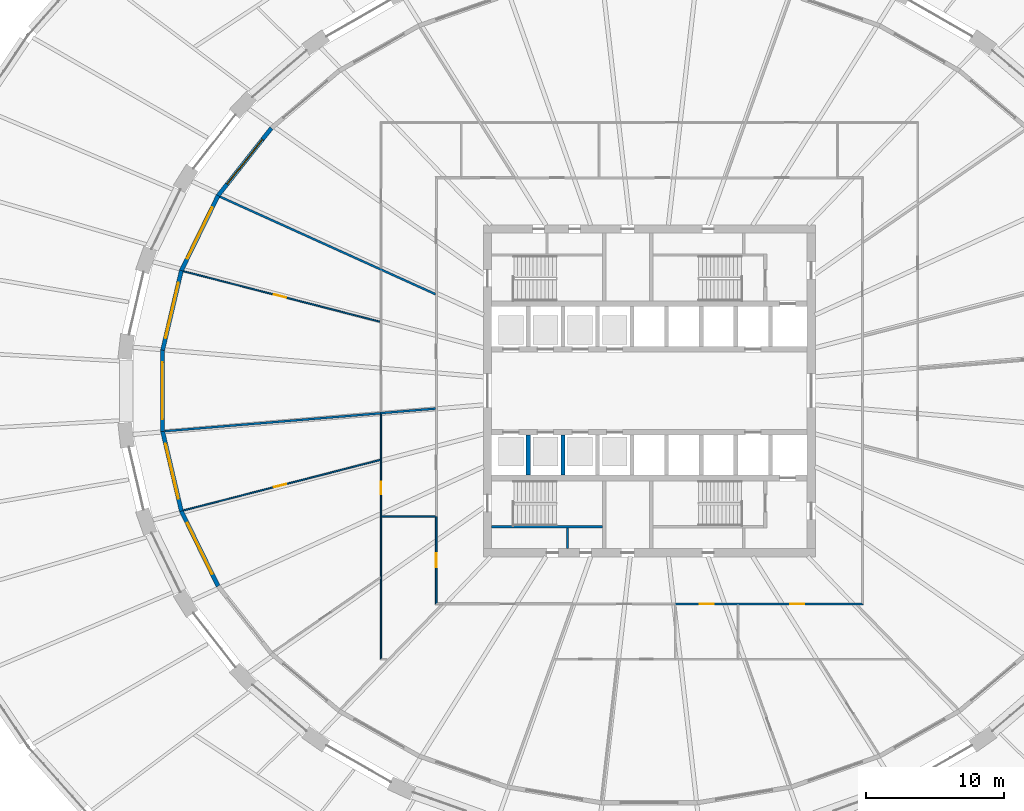
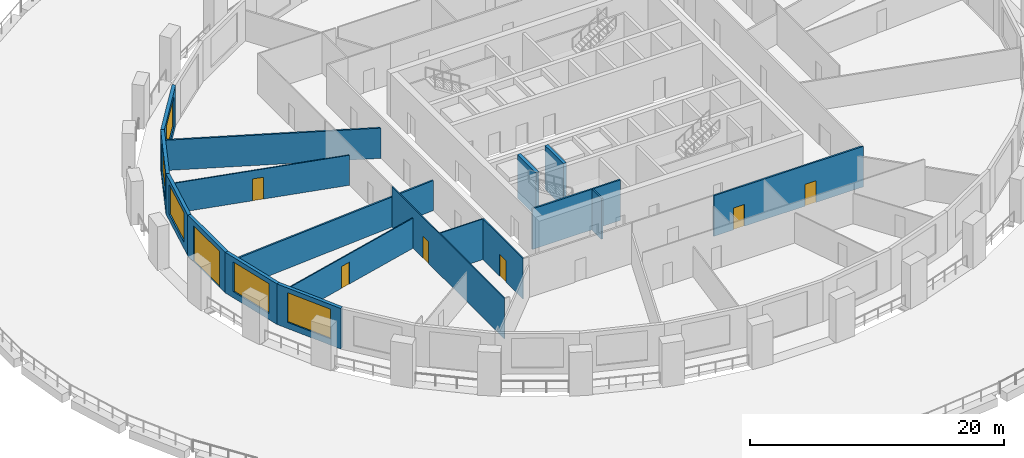
# One storey, part 6 of 16: 19 walls, 7 doors, 5 windows, 12 openings.
"""IFC4 building model written with IfcOpenShell, lengths in metres."""

from ifc_helpers import new_model, si_unit, direction, frame, frame_2d, origin, place, context, subcontext, project, spatial, polyline, rectangle, outline, extrude, material, layer, layer_set, type_object, element, fill, save


model = new_model("IFC4")

# Units and contexts
model_context = context("Model", 3, precision=1e-05, world=origin(), true_north=direction((0.0, 1.0)))
body_context = subcontext(model_context, "Body", "Model", "MODEL_VIEW")
ifc_project = project(units=[si_unit("LENGTHUNIT", "METRE"), si_unit("AREAUNIT", "SQUARE_METRE"), si_unit("VOLUMEUNIT", "CUBIC_METRE"), si_unit("PLANEANGLEUNIT", "RADIAN"), si_unit("MASSUNIT", "GRAM", prefix="KILO")], contexts=[model_context])

# Site, building, storey
site_placement = place(None, origin())
site = spatial("IfcSite", under=ifc_project, at=site_placement, CompositionType="ELEMENT")
building_placement = place(site_placement, origin())
building = spatial("IfcBuilding", under=site, at=building_placement, Name="Halqa Exchange Tower", CompositionType="ELEMENT")
storey_placement = place(building_placement, frame((0.0, 0.0, 23.5)))
storey = spatial("IfcBuildingStorey", under=building, at=storey_placement, Name="L04", CompositionType="ELEMENT", Elevation=23.5)

# Walls
ifc_material_1 = material(Name="Fire-rated gypsum board")
ifc_layer_1 = layer(ifc_material_1, 0.14990234375)
ifc_layer_set_1 = layer_set([ifc_layer_1], Name="Fire-rated gypsum board")
wall_type_1 = type_object("IfcWallType", Name="Fire partition EI 60 150", PredefinedType="PARTITIONING", material=ifc_layer_set_1)
wall_1_placement = place(storey_placement, frame((-31.04541015625, 14.035888671875, 0.0), z_axis=(0.0, 0.0, 1.0), x_axis=(0.911148076593, -0.412079097407, 0.0)))
element("IfcWall", 1, at=wall_1_placement, inside=storey, type_object=wall_type_1, Name="L04-PWL-001", PredefinedType="PARTITIONING", context=body_context, shape_type="SweptSolid", body=[
    extrude(outline(polyline([(0.0, -0.074951171875), (1.83837890625, -0.074951171875), (3.676513671875, -0.074951171875), (5.514892578125, -0.074951171875), (7.35302734375, -0.074951171875), (9.19140625, -0.074951171875), (11.029541015625, -0.074951171875), (12.867919921875, -0.074951171875), (12.869384765625, -0.07421875), (12.869873046875, -0.074951171875), (14.287353515625, -0.074951171875), (15.705078125, -0.074951171875), (17.12255859375, -0.074951171875), (17.106201171875, -0.038330078125), (17.106201171875, -0.038330078125), (17.054931640625, 0.074951171875), (15.601806640625, 0.074951171875), (14.14892578125, 0.074951171875), (12.69580078125, 0.074951171875), (12.69287109375, 0.07373046875), (12.692138671875, 0.074951171875), (10.882080078125, 0.074951171875), (9.072021484375, 0.074951171875), (7.26171875, 0.074951171875), (5.45166015625, 0.074951171875), (3.6416015625, 0.074951171875), (1.831298828125, 0.074951171875), (0.021240234375, 0.074951171875), (0.00244140625, -0.0009765625), (0.0, -0.074951171875)])), origin(), (0.0, 0.0, 1.0), 2.909912109375),
])
wall_2_placement = place(storey_placement, frame((-19.44921875, -1.6240234375, 0.0), z_axis=(0.0, 0.0, 1.0), x_axis=(-0.996584649275, -0.082577459574, 0.0)))
element("IfcWall", 2, at=wall_2_placement, inside=storey, type_object=wall_type_1, Name="L04-PWL-007", PredefinedType="PARTITIONING", context=body_context, shape_type="SweptSolid", body=[
    extrude(outline(polyline([(15.628173828125, -0.074951171875), (15.628173828125, 0.048095703125), (15.624267578125, 0.074951171875), (13.672119140625, 0.074951171875), (11.719970703125, 0.074951171875), (9.767822265625, 0.074951171875), (7.815673828125, 0.074951171875), (5.863525390625, 0.074951171875), (3.911376953125, 0.074951171875), (1.959228515625, 0.074951171875), (0.007080078125, 0.074951171875), (0.005615234375, 0.05712890625), (0.0, 0.0576171875), (0.0, -0.074951171875), (1.95361328125, -0.074951171875), (3.906982421875, -0.074951171875), (5.860595703125, -0.074951171875), (7.81396484375, -0.074951171875), (9.767578125, -0.074951171875), (11.72119140625, -0.074951171875), (13.674560546875, -0.074951171875), (15.628173828125, -0.074951171875)])), origin(), (0.0, 0.0, 1.0), 2.89208984375),
])
wall_3_placement = place(storey_placement, frame((-15.46923828125, -1.28564453125, 0.0), z_axis=(0.0, 0.0, 1.0), x_axis=(-0.996614549641, -0.082215810186, 0.0)))
element("IfcWall", 3, at=wall_3_placement, inside=storey, type_object=wall_type_1, Name="L04-PWL-016", PredefinedType="PARTITIONING", context=body_context, shape_type="SweptSolid", body=[
    extrude(outline(polyline([(0.0, -0.074951171875), (1.94384765625, -0.074951171875), (3.8876953125, -0.074951171875), (3.888427734375, -0.067138671875), (3.984130859375, -0.074951171875), (3.993896484375, -0.074951171875), (3.993896484375, 0.067626953125), (3.90625, 0.074951171875), (1.959228515625, 0.074951171875), (0.011962890625, 0.074951171875), (0.0, -0.070068359375), (0.0, -0.074951171875)])), origin(), (0.0, 0.0, 1.0), 2.89208984375),
])

# Wall, openings, doors
wall_4_placement = place(storey_placement, frame((1.8701171875, -15.39990234375, 0.0), z_axis=(0.0, 0.0, 1.0), x_axis=(1.0, 0.0, 0.0)))
wall_4 = element("IfcWall", 4, at=wall_4_placement, inside=storey, type_object=wall_type_1, Name="L04-PWL-030", PredefinedType="PARTITIONING", context=body_context, shape_type="SweptSolid", body=[
    extrude(outline(polyline([(0.0, -0.074951171875), (1.943603515625, -0.074951171875), (3.886962890625, -0.074951171875), (5.83056640625, -0.074951171875), (7.774169921875, -0.074951171875), (9.7177734375, -0.074951171875), (11.6611328125, -0.074951171875), (13.604736328125, -0.074951171875), (13.454833984375, 0.074951171875), (11.53271484375, 0.074951171875), (9.610595703125, 0.074951171875), (7.6884765625, 0.074951171875), (5.766357421875, 0.074951171875), (3.84423828125, 0.074951171875), (1.922119140625, 0.074951171875), (0.0, 0.074951171875), (0.0, -0.074951171875)])), origin(), (0.0, 0.0, 1.0), 3.89990234375),
])
opening_1_placement = place(wall_4_placement, frame((1.77490234375, 0.0, 0.0)))
opening_1 = element("IfcOpeningElement", 5, at=opening_1_placement, cuts=wall_4, Name="Opening 01-15", PredefinedType="OPENING", context=body_context, shape_type="SweptSolid", body=[
    extrude(rectangle(XDim=1.0, YDim=2.10009765625, at=frame_2d((0.5, 1.050048828125))), frame((0.0, 0.0869140625, 0.0), z_axis=(0.0, -1.0, 0.0), x_axis=(1.0, 0.0, 0.0)), (0.0, 0.0, 1.0), 0.173828125),
])
opening_2_placement = place(wall_4_placement, frame((8.31005859375, 0.0, 0.0)))
opening_2 = element("IfcOpeningElement", 6, at=opening_2_placement, cuts=wall_4, Name="Opening 01-16", PredefinedType="OPENING", context=body_context, shape_type="SweptSolid", body=[
    extrude(rectangle(XDim=1.0, YDim=2.10009765625, at=frame_2d((0.5, 1.050048828125))), frame((0.0, 0.0869140625, 0.0), z_axis=(0.0, -1.0, 0.0), x_axis=(1.0, 0.0, 0.0)), (0.0, 0.0, 1.0), 0.173828125),
])
ifc_material_2 = material(Name="Steel fire door leaf", Category="steel")
door_type_1 = type_object("IfcDoorType", Name="Fire door FD30S 1000 x 2100", OperationType="SINGLE_SWING_LEFT", PredefinedType="DOOR", material=ifc_material_2)
door_1_placement = place(opening_1_placement, frame((1.0, 0.0, 0.0), z_axis=(0.0, 0.0, 1.0), x_axis=(-1.0, 0.0, 0.0)))
door_1 = element("IfcDoor", 7, at=door_1_placement, inside=storey, type_object=door_type_1, Name="L04-IDR-015", OperationType="SINGLE_SWING_RIGHT", OverallHeight=2.10009765625, OverallWidth=1.0, PredefinedType="DOOR", context=body_context, shape_type="SweptSolid", body=[
    extrude(rectangle(XDim=1.0, YDim=2.10009765625, at=frame_2d((0.5, 1.050048828125))), frame((0.0, 0.02490234375, 0.0), z_axis=(0.0, -1.0, 0.0), x_axis=(1.0, 0.0, 0.0)), (0.0, 0.0, 1.0), 0.050048828125),
])
fill(opening_1, door_1)
door_2_placement = place(opening_2_placement, frame((1.0, 0.0, 0.0), z_axis=(0.0, 0.0, 1.0), x_axis=(-1.0, 0.0, 0.0)))
door_2 = element("IfcDoor", 8, at=door_2_placement, inside=storey, type_object=door_type_1, Name="L04-IDR-016", OperationType="SINGLE_SWING_RIGHT", OverallHeight=2.10009765625, OverallWidth=1.0, PredefinedType="DOOR", context=body_context, shape_type="SweptSolid", body=[
    extrude(rectangle(XDim=1.0, YDim=2.10009765625, at=frame_2d((0.5, 1.050048828125))), frame((0.0, 0.02490234375, 0.0), z_axis=(0.0, -1.0, 0.0), x_axis=(1.0, 0.0, 0.0)), (0.0, 0.0, 1.0), 0.050048828125),
])
fill(opening_2, door_2)

# Wall, opening, door
ifc_material_3 = material(Name="Fire-rated glazing", Category="glass")
ifc_layer_2 = layer(ifc_material_3, 0.1201171875)
ifc_layer_set_2 = layer_set([ifc_layer_2], Name="Fire-rated glazing")
wall_type_2 = type_object("IfcWallType", Name="Glazed fire partition EI 60 120", PredefinedType="PARTITIONING", material=ifc_layer_set_2)
wall_5_placement = place(storey_placement, frame((-15.39990234375, -15.4599609375, 0.0), z_axis=(0.0, 0.0, 1.0), x_axis=(0.0, 1.0, 0.0)))
wall_5 = element("IfcWall", 9, at=wall_5_placement, inside=storey, type_object=wall_type_2, Name="L04-PWL-014", PredefinedType="PARTITIONING", context=body_context, shape_type="SweptSolid", body=[
    extrude(outline(polyline([(6.369873046875, 0.06005859375), (4.77734375, 0.06005859375), (3.18505859375, 0.06005859375), (1.592529296875, 0.06005859375), (0.0, 0.06005859375), (0.1201171875, -0.06005859375), (1.6826171875, -0.06005859375), (3.2451171875, -0.06005859375), (4.807373046875, -0.06005859375), (6.369873046875, -0.06005859375), (6.369873046875, 0.06005859375)])), origin(), (0.0, 0.0, 1.0), 3.89990234375),
])
opening_3_placement = place(wall_5_placement, frame((2.715087890625, 0.0, 0.0)))
opening_3 = element("IfcOpeningElement", 10, at=opening_3_placement, cuts=wall_5, Name="Opening 01-11", PredefinedType="OPENING", context=body_context, shape_type="SweptSolid", body=[
    extrude(rectangle(XDim=1.0, YDim=2.10009765625, at=frame_2d((0.5, 1.050048828125))), frame((0.0, 0.072021484375, 0.0), z_axis=(0.0, -1.0, 0.0), x_axis=(1.0, 0.0, 0.0)), (0.0, 0.0, 1.0), 0.14404296875),
])
door_3_placement = place(opening_3_placement, origin())
door_3 = element("IfcDoor", 11, at=door_3_placement, inside=storey, type_object=door_type_1, Name="L04-IDR-011", OperationType="SINGLE_SWING_LEFT", OverallHeight=2.10009765625, OverallWidth=1.0, PredefinedType="DOOR", context=body_context, shape_type="SweptSolid", body=[
    extrude(rectangle(XDim=1.0, YDim=2.10009765625, at=frame_2d((0.5, 1.050048828125))), frame((0.0, 0.02490234375, 0.0), z_axis=(0.0, -1.0, 0.0), x_axis=(1.0, 0.0, 0.0)), (0.0, 0.0, 1.0), 0.050048828125),
])
fill(opening_3, door_3)

ifc_material_4 = material(Name="Gypsum board")
ifc_layer_3 = layer(ifc_material_4, 0.10009765625)
ifc_layer_set_3 = layer_set([ifc_layer_3], Name="Gypsum board")
wall_type_3 = type_object("IfcWallType", Name="Partition 100 gypsum", PredefinedType="PARTITIONING", material=ifc_layer_set_3)
wall_6_placement = place(storey_placement, frame((-19.39990234375, -19.449951171875, 0.0), z_axis=(0.0, 0.0, 1.0), x_axis=(0.0, 1.0, 0.0)))
wall_6 = element("IfcWall", 12, at=wall_6_placement, inside=storey, type_object=wall_type_3, Name="L04-PWL-003", PredefinedType="PARTITIONING", context=body_context, shape_type="SweptSolid", body=[
    extrude(outline(polyline([(0.10009765625, -0.050048828125), (1.8017578125, -0.050048828125), (3.50341796875, -0.050048828125), (5.205078125, -0.050048828125), (6.90673828125, -0.050048828125), (8.6083984375, -0.050048828125), (10.31005859375, -0.050048828125), (10.31005859375, -0.0498046875), (10.409912109375, -0.0498046875), (10.409912109375, -0.050048828125), (12.24951171875, -0.050048828125), (14.08935546875, -0.050048828125), (15.928955078125, -0.050048828125), (17.7685546875, -0.050048828125), (17.7685546875, -0.046630859375), (17.760986328125, 0.043701171875), (17.7685546875, 0.04443359375), (17.7685546875, 0.045166015625), (17.7509765625, 0.043701171875), (17.75048828125, 0.050048828125), (16.081787109375, 0.050048828125), (14.4130859375, 0.050048828125), (14.406005859375, 0.048095703125), (14.405517578125, 0.050048828125), (12.702392578125, 0.050048828125), (10.999267578125, 0.050048828125), (9.2958984375, 0.050048828125), (7.5927734375, 0.050048828125), (5.8896484375, 0.050048828125), (5.88623046875, 0.047607421875), (5.884521484375, 0.050048828125), (3.9228515625, 0.050048828125), (1.96142578125, 0.050048828125), (0.0, 0.050048828125), (0.099853515625, -0.0498046875), (0.10009765625, -0.050048828125)])), origin(), (0.0, 0.0, 1.0), 3.89990234375),
])
opening_4_placement = place(wall_6_placement, frame((11.965087890625, 0.0, 0.0)))
opening_4 = element("IfcOpeningElement", 13, at=opening_4_placement, cuts=wall_6, Name="Opening 01-25", PredefinedType="OPENING", context=body_context, shape_type="SweptSolid", body=[
    extrude(rectangle(XDim=0.89990234375, YDim=2.10009765625, at=frame_2d((0.449951171875, 1.050048828125))), frame((0.0, 0.06201171875, 0.0), z_axis=(0.0, -1.0, 0.0), x_axis=(1.0, 0.0, 0.0)), (0.0, 0.0, 1.0), 0.1240234375),
])
ifc_material_5 = material(Name="Timber door leaf", Category="wood")
door_type_2 = type_object("IfcDoorType", Name="Door 900 x 2100", OperationType="SINGLE_SWING_LEFT", PredefinedType="DOOR", material=ifc_material_5)
door_4_placement = place(opening_4_placement, frame((0.89990234375, 0.0, 0.0), z_axis=(0.0, 0.0, 1.0), x_axis=(-1.0, 0.0, 0.0)))
door_4 = element("IfcDoor", 14, at=door_4_placement, inside=storey, type_object=door_type_2, Name="L04-IDR-025", OperationType="SINGLE_SWING_LEFT", OverallHeight=2.10009765625, OverallWidth=0.89990234375, PredefinedType="DOOR", context=body_context, shape_type="SweptSolid", body=[
    extrude(rectangle(XDim=0.89990234375, YDim=2.10009765625, at=frame_2d((0.449951171875, 1.050048828125))), frame((0.0, 0.02490234375, 0.0), z_axis=(0.0, -1.0, 0.0), x_axis=(1.0, 0.0, 0.0)), (0.0, 0.0, 1.0), 0.050048828125),
])
fill(opening_4, door_4)

# Wall
wall_7_placement = place(storey_placement, frame((-19.35009765625, -9.090087890625, 0.0), z_axis=(0.0, 0.0, 1.0), x_axis=(1.0, 0.0, 0.0)))
element("IfcWall", 15, at=wall_7_placement, inside=storey, type_object=wall_type_3, Name="L04-PWL-005", PredefinedType="PARTITIONING", context=body_context, shape_type="SweptSolid", body=[
    extrude(outline(polyline([(3.8896484375, -0.050048828125), (3.8896484375, 0.0), (3.875, 0.0), (3.875, 0.050048828125), (1.9375, 0.050048828125), (0.0, 0.050048828125), (0.0, -0.050048828125), (1.94482421875, -0.050048828125), (3.8896484375, -0.050048828125)])), origin(), (0.0, 0.0, 1.0), 3.89990234375),
])

# Wall, opening, door
wall_8_placement = place(storey_placement, frame((-19.437744140625, -4.98974609375, 0.0), z_axis=(0.0, 0.0, 1.0), x_axis=(-0.968638974519, -0.248472407007, 0.0)))
wall_8 = element("IfcWall", 16, at=wall_8_placement, inside=storey, type_object=wall_type_3, Name="L04-PWL-006", PredefinedType="PARTITIONING", context=body_context, shape_type="SweptSolid", body=[
    extrude(outline(polyline([(14.7060546875, -0.050048828125), (14.7060546875, 0.004150390625), (14.696533203125, 0.050048828125), (12.862548828125, 0.050048828125), (11.02880859375, 0.050048828125), (9.19482421875, 0.050048828125), (7.361083984375, 0.050048828125), (5.527099609375, 0.050048828125), (3.693359375, 0.050048828125), (1.859375, 0.050048828125), (0.025390625, 0.050048828125), (0.0, -0.04931640625), (0.0, -0.050048828125), (1.83837890625, -0.050048828125), (3.676513671875, -0.050048828125), (5.5146484375, -0.050048828125), (7.35302734375, -0.050048828125), (9.19140625, -0.050048828125), (11.029541015625, -0.050048828125), (12.86767578125, -0.050048828125), (14.7060546875, -0.050048828125)])), origin(), (0.0, 0.0, 1.0), 2.89208984375),
])
opening_5_placement = place(wall_8_placement, frame((7.037109375, 0.0, 0.0)))
opening_5 = element("IfcOpeningElement", 17, at=opening_5_placement, cuts=wall_8, Name="Opening 01-26", PredefinedType="OPENING", context=body_context, shape_type="SweptSolid", body=[
    extrude(rectangle(XDim=0.89990234375, YDim=2.10009765625, at=frame_2d((0.449951171875, 1.050048828125))), frame((0.0, 0.06201171875, 0.0), z_axis=(0.0, -1.0, 0.0), x_axis=(1.0, 0.0, 0.0)), (0.0, 0.0, 1.0), 0.1240234375),
])
door_5_placement = place(opening_5_placement, frame((0.89990234375, 0.0, 0.0), z_axis=(0.0, 0.0, 1.0), x_axis=(-1.0, 0.0, 0.0)))
door_5 = element("IfcDoor", 18, at=door_5_placement, inside=storey, type_object=door_type_2, Name="L04-IDR-026", OperationType="SINGLE_SWING_LEFT", OverallHeight=2.10009765625, OverallWidth=0.89990234375, PredefinedType="DOOR", context=body_context, shape_type="SweptSolid", body=[
    extrude(rectangle(XDim=0.89990234375, YDim=2.10009765625, at=frame_2d((0.449951171875, 1.050048828125))), frame((0.0, 0.02490234375, 0.0), z_axis=(0.0, -1.0, 0.0), x_axis=(1.0, 0.0, 0.0)), (0.0, 0.0, 1.0), 0.050048828125),
])
fill(opening_5, door_5)

wall_9_placement = place(storey_placement, frame((-19.437744140625, 4.98974609375, 0.0), z_axis=(0.0, 0.0, 1.0), x_axis=(-0.968638974519, 0.248472407007, 0.0)))
wall_9 = element("IfcWall", 19, at=wall_9_placement, inside=storey, type_object=wall_type_3, Name="L04-PWL-009", PredefinedType="PARTITIONING", context=body_context, shape_type="SweptSolid", body=[
    extrude(outline(polyline([(0.025390625, -0.050048828125), (1.859375, -0.050048828125), (3.693359375, -0.050048828125), (5.527099609375, -0.050048828125), (7.361083984375, -0.050048828125), (9.19482421875, -0.050048828125), (11.02880859375, -0.050048828125), (12.862548828125, -0.050048828125), (14.696533203125, -0.050048828125), (14.7060546875, -0.004150390625), (14.7060546875, 0.050048828125), (12.86767578125, 0.050048828125), (11.029541015625, 0.050048828125), (9.19140625, 0.050048828125), (7.35302734375, 0.050048828125), (5.5146484375, 0.050048828125), (3.676513671875, 0.050048828125), (1.83837890625, 0.050048828125), (0.0, 0.050048828125), (0.0, 0.04931640625), (0.025390625, -0.050048828125)])), origin(), (0.0, 0.0, 1.0), 2.89208984375),
])
opening_6_placement = place(wall_9_placement, frame((7.037109375, 0.0, 0.0)))
opening_6 = element("IfcOpeningElement", 20, at=opening_6_placement, cuts=wall_9, Name="Opening 01-24", PredefinedType="OPENING", context=body_context, shape_type="SweptSolid", body=[
    extrude(rectangle(XDim=0.89990234375, YDim=2.10009765625, at=frame_2d((0.449951171875, 1.050048828125))), frame((0.0, 0.06201171875, 0.0), z_axis=(0.0, -1.0, 0.0), x_axis=(1.0, 0.0, 0.0)), (0.0, 0.0, 1.0), 0.1240234375),
])
door_6_placement = place(opening_6_placement, frame((0.89990234375, 0.0, 0.0), z_axis=(0.0, 0.0, 1.0), x_axis=(-1.0, 0.0, 0.0)))
door_6 = element("IfcDoor", 21, at=door_6_placement, inside=storey, type_object=door_type_2, Name="L04-IDR-024", OperationType="SINGLE_SWING_LEFT", OverallHeight=2.10009765625, OverallWidth=0.89990234375, PredefinedType="DOOR", context=body_context, shape_type="SweptSolid", body=[
    extrude(rectangle(XDim=0.89990234375, YDim=2.10009765625, at=frame_2d((0.449951171875, 1.050048828125))), frame((0.0, 0.02490234375, 0.0), z_axis=(0.0, -1.0, 0.0), x_axis=(1.0, 0.0, 0.0)), (0.0, 0.0, 1.0), 0.050048828125),
])
fill(opening_6, door_6)

# Walls
ifc_layer_4 = layer(ifc_material_4, 0.14990234375)
ifc_layer_set_4 = layer_set([ifc_layer_4], Name="Gypsum board")
wall_type_4 = type_object("IfcWallType", Name="Penthouse riser wall 150 gypsum", PredefinedType="PARTITIONING", material=ifc_layer_set_4)
wall_10_placement = place(storey_placement, frame((-5.925048828125, -11.39990234375, 0.0), z_axis=(0.0, 0.0, 1.0), x_axis=(0.0, 1.0, 0.0)))
element("IfcWall", 22, at=wall_10_placement, inside=storey, type_object=wall_type_4, Name="Partition W5.925 S", PredefinedType="PARTITIONING", context=body_context, shape_type="SweptSolid", body=[
    extrude(rectangle(XDim=1.5, YDim=0.14990234375, at=frame_2d((0.75, 0.0))), origin(), (0.0, 0.0, 1.0), 3.89990234375),
])
ifc_material_6 = material(Name="Concrete C60/75", Category="concrete")
ifc_layer_5 = layer(ifc_material_6, 0.300048828125)
ifc_layer_set_5 = layer_set([ifc_layer_5], Name="Concrete C60/75")
wall_type_5 = type_object("IfcWallType", Name="RC core wall 300", PredefinedType="SHEAR", material=ifc_layer_set_5)
for number, where, z_axis, x_axis, name in (
    (23, (-8.75, -6.10009765625, 0.0), (0.0, 0.0, 1.0), (0.0, 1.0, 0.0), "Shaft divider S1"),
    (24, (-6.25, -6.10009765625, 0.0), (0.0, 0.0, 1.0), (0.0, 1.0, 0.0), "Shaft divider S2"),
):
    element("IfcWall", number, at=place(storey_placement, frame(where, z_axis=z_axis, x_axis=x_axis)), inside=storey, type_object=wall_type_5, Name=name, PredefinedType="SHEAR", context=body_context, shape_type="SweptSolid", body=[
        extrude(rectangle(XDim=2.900146484375, YDim=0.300048828125, at=frame_2d((1.4501953125, 0.0))), origin(), (0.0, 0.0, 1.0), 4.199951171875),
    ])
ifc_material_7 = material(Name="Concrete C30/37", Category="concrete")
ifc_layer_6 = layer(ifc_material_7, 0.14990234375)
ifc_layer_set_6 = layer_set([ifc_layer_6], Name="Concrete C30/37")
wall_type_6 = type_object("IfcWallType", Name="RC stair wall 150 C30/37", PredefinedType="SHEAR", material=ifc_layer_set_6)
wall_11_placement = place(storey_placement, frame((-11.39990234375, -9.824951171875, 0.0), z_axis=(0.0, 0.0, 1.0), x_axis=(1.0, 0.0, 0.0)))
element("IfcWall", 25, at=wall_11_placement, inside=storey, type_object=wall_type_6, Name="Stair ST1 north wall S", PredefinedType="SHEAR", context=body_context, shape_type="SweptSolid", body=[
    extrude(rectangle(XDim=8.0, YDim=0.14990234375, at=frame_2d((4.0, 0.0))), origin(), (0.0, 0.0, 1.0), 3.89990234375),
])

# Wall, opening, window
ifc_material_8 = material(Name="Limestone cladding", Category="masonry")
ifc_layer_7 = layer(ifc_material_8, 0.0400390625)
ifc_material_9 = material(Name="Ventilated cavity")
ifc_layer_8 = layer(ifc_material_9, 0.030029296875, ventilated=True)
ifc_material_10 = material(Name="Mineral wool insulation")
ifc_layer_9 = layer(ifc_material_10, 0.10009765625)
ifc_layer_10 = layer(ifc_material_7, 0.10009765625)
ifc_material_11 = material(Name="Internal plaster")
ifc_layer_11 = layer(ifc_material_11, 0.030029296875)
ifc_layer_set_7 = layer_set([ifc_layer_7, ifc_layer_8, ifc_layer_9, ifc_layer_10, ifc_layer_11], Name="Stone-faced insulated wall 300")
wall_type_7 = type_object("IfcWallType", Name="Stone-faced insulated wall 300", PredefinedType="STANDARD", material=ifc_layer_set_7)
wall_12_placement = place(storey_placement, frame((-27.318359375, 18.99169921875, 0.0), z_axis=(0.0, 0.0, 1.0), x_axis=(-0.619902786528, -0.784678619089, 0.0)))
wall_12 = element("IfcWall", 26, at=wall_12_placement, inside=storey, type_object=wall_type_7, Name="Glass-line wall 13", PredefinedType="STANDARD", context=body_context, shape_type="SweptSolid", body=[
    extrude(outline(polyline([(-0.01513671875, -0.14990234375), (6.231689453125, -0.14990234375), (6.199462890625, 0.14990234375), (0.01513671875, 0.14990234375), (-0.01513671875, -0.14990234375)])), origin(), (0.0, 0.0, 1.0), 3.89990234375),
])
opening_7_placement = place(wall_12_placement, frame((1.0576171875, 0.0, 0.60009765625)))
opening_7 = element("IfcOpeningElement", 27, at=opening_7_placement, cuts=wall_12, Name="Opening W-F1-13", PredefinedType="OPENING", context=body_context, shape_type="SweptSolid", body=[
    extrude(rectangle(XDim=4.10009765625, YDim=2.85009765625, at=frame_2d((2.050048828125, 1.425048828125))), frame((0.0, 0.162109375, 0.0), z_axis=(0.0, -1.0, 0.0), x_axis=(1.0, 0.0, 0.0)), (0.0, 0.0, 1.0), 0.323974609375),
])
ifc_material_12 = material(Name="Clear low-emissivity glass in aluminium frame", Category="aluminium")
window_type = type_object("IfcWindowType", Name="Fixed clear glazed window 4100 x 2850", PartitioningType="TRIPLE_PANEL_VERTICAL", PredefinedType="WINDOW", material=ifc_material_12)
window_1_placement = place(opening_7_placement, origin())
window_1 = element("IfcWindow", 28, at=window_1_placement, inside=storey, type_object=window_type, Name="Window 1", OverallHeight=2.85009765625, OverallWidth=4.10009765625, PartitioningType="TRIPLE_PANEL_VERTICAL", PredefinedType="WINDOW", context=body_context, shape_type="SweptSolid", body=[
    extrude(rectangle(XDim=4.10009765625, YDim=2.85009765625, at=frame_2d((2.050048828125, 1.425048828125))), frame((0.0, 0.030029296875, 0.0), z_axis=(0.0, -1.0, 0.0), x_axis=(1.0, 0.0, 0.0)), (0.0, 0.0, 1.0), 0.06005859375),
])
fill(opening_7, window_1)

wall_13_placement = place(storey_placement, frame((-31.17138671875, 14.114501953125, 0.0), z_axis=(0.0, 0.0, 1.0), x_axis=(-0.439821516427, -0.898085204025, 0.0)))
wall_13 = element("IfcWall", 29, at=wall_13_placement, inside=storey, type_object=wall_type_7, Name="Glass-line wall 14", PredefinedType="STANDARD", context=body_context, shape_type="SweptSolid", body=[
    extrude(outline(polyline([(-0.01611328125, -0.14990234375), (6.053466796875, -0.14990234375), (6.019775390625, 0.14990234375), (0.01611328125, 0.14990234375), (-0.01611328125, -0.14990234375)])), origin(), (0.0, 0.0, 1.0), 3.89990234375),
])
opening_8_placement = place(wall_13_placement, frame((0.968505859375, 0.0, 0.60009765625)))
opening_8 = element("IfcOpeningElement", 30, at=opening_8_placement, cuts=wall_13, Name="Opening W-F1-14", PredefinedType="OPENING", context=body_context, shape_type="SweptSolid", body=[
    extrude(rectangle(XDim=4.10009765625, YDim=2.85009765625, at=frame_2d((2.050048828125, 1.425048828125))), frame((0.0, 0.162109375, 0.0), z_axis=(0.0, -1.0, 0.0), x_axis=(1.0, 0.0, 0.0)), (0.0, 0.0, 1.0), 0.323974609375),
])
window_2_placement = place(opening_8_placement, origin())
window_2 = element("IfcWindow", 31, at=window_2_placement, inside=storey, type_object=window_type, Name="Window 1", OverallHeight=2.85009765625, OverallWidth=4.10009765625, PartitioningType="TRIPLE_PANEL_VERTICAL", PredefinedType="WINDOW", context=body_context, shape_type="SweptSolid", body=[
    extrude(rectangle(XDim=4.10009765625, YDim=2.85009765625, at=frame_2d((2.050048828125, 1.425048828125))), frame((0.0, 0.030029296875, 0.0), z_axis=(0.0, -1.0, 0.0), x_axis=(1.0, 0.0, 0.0)), (0.0, 0.0, 1.0), 0.06005859375),
])
fill(opening_8, window_2)

wall_14_placement = place(storey_placement, frame((-33.826416015625, 8.693115234375, 0.0), z_axis=(0.0, 0.0, 1.0), x_axis=(-0.228924296831, -0.973444228665, 0.0)))
wall_14 = element("IfcWall", 32, at=wall_14_placement, inside=storey, type_object=wall_type_7, Name="Glass-line wall 15", PredefinedType="STANDARD", context=body_context, shape_type="SweptSolid", body=[
    extrude(outline(polyline([(-0.016845703125, -0.14990234375), (5.931884765625, -0.14990234375), (5.897216796875, 0.14990234375), (0.016845703125, 0.14990234375), (-0.016845703125, -0.14990234375)])), origin(), (0.0, 0.0, 1.0), 3.89990234375),
])
opening_9_placement = place(wall_14_placement, frame((0.9072265625, 0.0, 0.60009765625)))
opening_9 = element("IfcOpeningElement", 33, at=opening_9_placement, cuts=wall_14, Name="Opening W-F1-15", PredefinedType="OPENING", context=body_context, shape_type="SweptSolid", body=[
    extrude(rectangle(XDim=4.10009765625, YDim=2.85009765625, at=frame_2d((2.050048828125, 1.425048828125))), frame((0.0, 0.162109375, 0.0), z_axis=(0.0, -1.0, 0.0), x_axis=(1.0, 0.0, 0.0)), (0.0, 0.0, 1.0), 0.323974609375),
])
window_3_placement = place(opening_9_placement, origin())
window_3 = element("IfcWindow", 34, at=window_3_placement, inside=storey, type_object=window_type, Name="Window 1", OverallHeight=2.85009765625, OverallWidth=4.10009765625, PartitioningType="TRIPLE_PANEL_VERTICAL", PredefinedType="WINDOW", context=body_context, shape_type="SweptSolid", body=[
    extrude(rectangle(XDim=4.10009765625, YDim=2.85009765625, at=frame_2d((2.050048828125, 1.425048828125))), frame((0.0, 0.030029296875, 0.0), z_axis=(0.0, -1.0, 0.0), x_axis=(1.0, 0.0, 0.0)), (0.0, 0.0, 1.0), 0.06005859375),
])
fill(opening_9, window_3)

# Wall, opening, door
wall_15_placement = place(storey_placement, frame((-35.180419921875, 2.935546875, 0.0), z_axis=(0.0, 0.0, 1.0), x_axis=(0.0, -1.0, 0.0)))
wall_15 = element("IfcWall", 35, at=wall_15_placement, inside=storey, type_object=wall_type_7, Name="Glass-line wall 16", PredefinedType="STANDARD", context=body_context, shape_type="SweptSolid", body=[
    extrude(outline(polyline([(-0.017333984375, -0.14990234375), (5.888427734375, -0.14990234375), (5.853759765625, 0.14990234375), (0.017333984375, 0.14990234375), (-0.017333984375, -0.14990234375)])), origin(), (0.0, 0.0, 1.0), 3.89990234375),
])
opening_10_placement = place(wall_15_placement, frame((0.885498046875, 0.0, 0.0)))
opening_10 = element("IfcOpeningElement", 36, at=opening_10_placement, cuts=wall_15, Name="Opening LG-F1-04", PredefinedType="OPENING", context=body_context, shape_type="SweptSolid", body=[
    extrude(rectangle(XDim=4.10009765625, YDim=3.449951171875, at=frame_2d((2.050048828125, 1.72509765625))), frame((0.0, 0.162109375, 0.0), z_axis=(0.0, -1.0, 0.0), x_axis=(1.0, 0.0, 0.0)), (0.0, 0.0, 1.0), 0.323974609375),
])
door_type_3 = type_object("IfcDoorType", Name="Glazed sliding loggia door 4100 x 3450", OperationType="DOUBLE_DOOR_SLIDING", PredefinedType="DOOR", material=ifc_material_12)
door_7_placement = place(opening_10_placement, origin())
door_7 = element("IfcDoor", 37, at=door_7_placement, inside=storey, type_object=door_type_3, Name="Loggia door 4", OperationType="DOUBLE_DOOR_SLIDING", OverallHeight=3.449951171875, OverallWidth=4.10009765625, PredefinedType="DOOR", context=body_context, shape_type="SweptSolid", body=[
    extrude(rectangle(XDim=4.10009765625, YDim=3.449951171875, at=frame_2d((2.050048828125, 1.72509765625))), frame((0.0, 0.02490234375, 0.0), z_axis=(0.0, -1.0, 0.0), x_axis=(1.0, 0.0, 0.0)), (0.0, 0.0, 1.0), 0.050048828125),
])
fill(opening_10, door_7)

# Wall, opening, window
wall_16_placement = place(storey_placement, frame((-35.180419921875, -2.935546875, 0.0), z_axis=(0.0, 0.0, 1.0), x_axis=(0.228924296831, -0.973444228665, 0.0)))
wall_16 = element("IfcWall", 38, at=wall_16_placement, inside=storey, type_object=wall_type_7, Name="Glass-line wall 17", PredefinedType="STANDARD", context=body_context, shape_type="SweptSolid", body=[
    extrude(outline(polyline([(-0.017333984375, -0.14990234375), (5.931396484375, -0.14990234375), (5.897705078125, 0.14990234375), (0.017333984375, 0.14990234375), (-0.017333984375, -0.14990234375)])), origin(), (0.0, 0.0, 1.0), 3.89990234375),
])
opening_11_placement = place(wall_16_placement, frame((0.9072265625, 0.0, 0.60009765625)))
opening_11 = element("IfcOpeningElement", 39, at=opening_11_placement, cuts=wall_16, Name="Opening W-F1-17", PredefinedType="OPENING", context=body_context, shape_type="SweptSolid", body=[
    extrude(rectangle(XDim=4.10009765625, YDim=2.85009765625, at=frame_2d((2.050048828125, 1.425048828125))), frame((0.0, 0.162109375, 0.0), z_axis=(0.0, -1.0, 0.0), x_axis=(1.0, 0.0, 0.0)), (0.0, 0.0, 1.0), 0.323974609375),
])
window_4_placement = place(opening_11_placement, origin())
window_4 = element("IfcWindow", 40, at=window_4_placement, inside=storey, type_object=window_type, Name="Window 1", OverallHeight=2.85009765625, OverallWidth=4.10009765625, PartitioningType="TRIPLE_PANEL_VERTICAL", PredefinedType="WINDOW", context=body_context, shape_type="SweptSolid", body=[
    extrude(rectangle(XDim=4.10009765625, YDim=2.85009765625, at=frame_2d((2.050048828125, 1.425048828125))), frame((0.0, 0.030029296875, 0.0), z_axis=(0.0, -1.0, 0.0), x_axis=(1.0, 0.0, 0.0)), (0.0, 0.0, 1.0), 0.06005859375),
])
fill(opening_11, window_4)

wall_17_placement = place(storey_placement, frame((-33.826416015625, -8.693115234375, 0.0), z_axis=(0.0, 0.0, 1.0), x_axis=(0.439821516427, -0.898085204025, 0.0)))
wall_17 = element("IfcWall", 41, at=wall_17_placement, inside=storey, type_object=wall_type_7, Name="Glass-line wall 18", PredefinedType="STANDARD", context=body_context, shape_type="SweptSolid", body=[
    extrude(outline(polyline([(-0.016845703125, -0.14990234375), (6.052734375, -0.14990234375), (6.0205078125, 0.14990234375), (0.016845703125, 0.14990234375), (-0.016845703125, -0.14990234375)])), origin(), (0.0, 0.0, 1.0), 3.89990234375),
])
opening_12_placement = place(wall_17_placement, frame((0.968505859375, 0.0, 0.60009765625)))
opening_12 = element("IfcOpeningElement", 42, at=opening_12_placement, cuts=wall_17, Name="Opening W-F1-18", PredefinedType="OPENING", context=body_context, shape_type="SweptSolid", body=[
    extrude(rectangle(XDim=4.10009765625, YDim=2.85009765625, at=frame_2d((2.050048828125, 1.425048828125))), frame((0.0, 0.162109375, 0.0), z_axis=(0.0, -1.0, 0.0), x_axis=(1.0, 0.0, 0.0)), (0.0, 0.0, 1.0), 0.323974609375),
])
window_5_placement = place(opening_12_placement, origin())
window_5 = element("IfcWindow", 43, at=window_5_placement, inside=storey, type_object=window_type, Name="Window 1", OverallHeight=2.85009765625, OverallWidth=4.10009765625, PartitioningType="TRIPLE_PANEL_VERTICAL", PredefinedType="WINDOW", context=body_context, shape_type="SweptSolid", body=[
    extrude(rectangle(XDim=4.10009765625, YDim=2.85009765625, at=frame_2d((2.050048828125, 1.425048828125))), frame((0.0, 0.030029296875, 0.0), z_axis=(0.0, -1.0, 0.0), x_axis=(1.0, 0.0, 0.0)), (0.0, 0.0, 1.0), 0.06005859375),
])
fill(opening_12, window_5)

save(model, "model.ifc")
